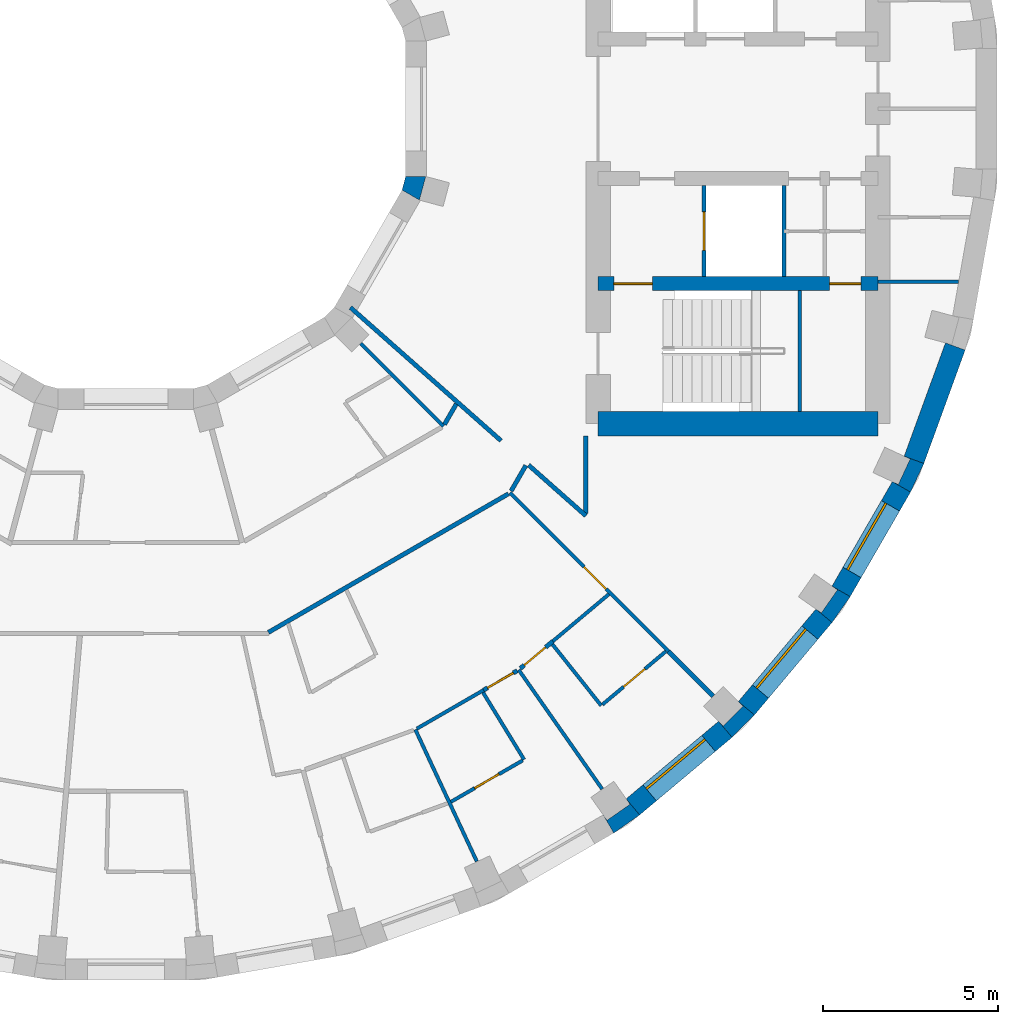
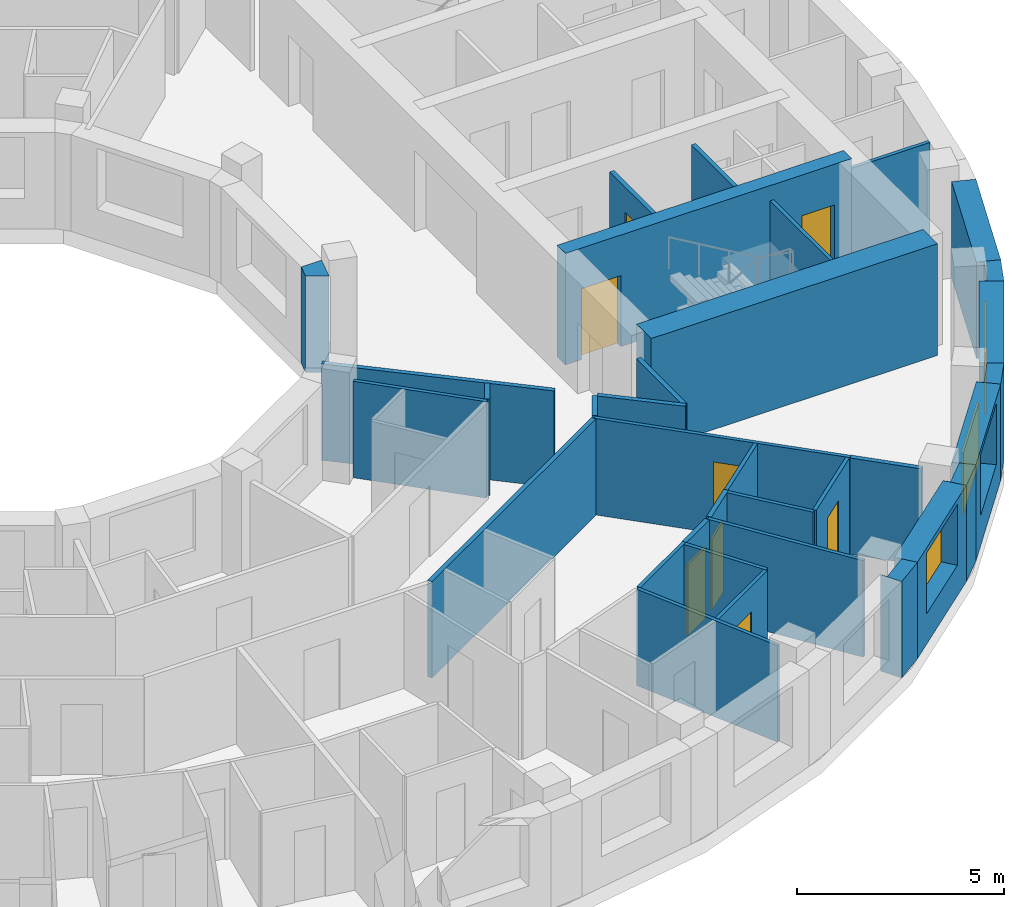
# One storey, part 8 of 14: 34 walls, 8 doors, 3 windows, 11 openings.
"""IFC4 building model written with IfcOpenShell, lengths in metres."""

from ifc_helpers import new_model, si_unit, direction, frame, frame_2d, origin, place, context, subcontext, project, spatial, polyline, rectangle, outline, extrude, material, layer, layer_set, type_object, element, fill, save


model = new_model("IFC4")

# Units and contexts
model_context = context("Model", 3, precision=1e-05, world=origin(), true_north=direction((0.0, 1.0)))
body_context = subcontext(model_context, "Body", "Model", "MODEL_VIEW")
ifc_project = project(units=[si_unit("LENGTHUNIT", "METRE"), si_unit("AREAUNIT", "SQUARE_METRE"), si_unit("VOLUMEUNIT", "CUBIC_METRE"), si_unit("PLANEANGLEUNIT", "RADIAN"), si_unit("MASSUNIT", "GRAM", prefix="KILO")], contexts=[model_context])

# Site, building, storey
site_placement = place(None, origin())
site = spatial("IfcSite", under=ifc_project, at=site_placement, CompositionType="ELEMENT")
building_placement = place(site_placement, origin())
building = spatial("IfcBuilding", under=site, at=building_placement, Name="Saqina Gate Tower", CompositionType="ELEMENT")
storey_placement = place(building_placement, frame((0.0, 0.0, 210.300048828125)))
storey = spatial("IfcBuildingStorey", under=building, at=storey_placement, Name="L60", CompositionType="ELEMENT", Elevation=210.300048828125)

# Walls
ifc_material_1 = material(Name="Brick masonry (buff)", Category="masonry")
wall_type_1 = type_object("IfcWallType", Name="BRICK PIER COPING BUFF", PredefinedType="SOLIDWALL", material=ifc_material_1)
wall_1_placement = place(storey_placement, origin())
element("IfcWall", 1, at=wall_1_placement, inside=storey, type_object=wall_type_1, Name="Pier cap L60 column 31", PredefinedType="SOLIDWALL", context=body_context, shape_type="SweptSolid", body=[
    extrude(outline(polyline([(13.9462890625, -20.705810546875), (14.687255859375, -20.18701171875), (14.301513671875, -19.727294921875), (14.408935546875, -19.880859375), (13.753662109375, -20.339599609375), (13.646240234375, -20.186279296875), (13.9462890625, -20.705810546875)])), origin(), (0.0, 0.0, 1.0), 2.849853515625),
])
wall_2_placement = place(storey_placement, origin())
element("IfcWall", 2, at=wall_2_placement, inside=storey, type_object=wall_type_1, Name="Pier cap L60 column 32", PredefinedType="SOLIDWALL", context=body_context, shape_type="SweptSolid", body=[
    extrude(outline(polyline([(17.969482421875, -17.329833984375), (17.510009765625, -16.944091796875), (17.642333984375, -17.07666015625), (17.07666015625, -17.642333984375), (16.944091796875, -17.510009765625), (17.329833984375, -17.969482421875), (17.969482421875, -17.329833984375)])), origin(), (0.0, 0.0, 1.0), 2.849853515625),
])
wall_3_placement = place(storey_placement, origin())
element("IfcWall", 3, at=wall_3_placement, inside=storey, type_object=wall_type_1, Name="Pier cap L60 column 33", PredefinedType="SOLIDWALL", context=body_context, shape_type="SweptSolid", body=[
    extrude(outline(polyline([(20.18701171875, -14.687255859375), (20.705810546875, -13.9462890625), (20.186279296875, -13.646240234375), (20.339599609375, -13.753662109375), (19.880859375, -14.408935546875), (19.727294921875, -14.301513671875), (20.18701171875, -14.687255859375)])), origin(), (0.0, 0.0, 1.0), 2.849853515625),
])
wall_4_placement = place(storey_placement, origin())
element("IfcWall", 4, at=wall_4_placement, inside=storey, type_object=wall_type_1, Name="Pier cap L60 column 34", PredefinedType="SOLIDWALL", context=body_context, shape_type="SweptSolid", body=[
    extrude(outline(polyline([(22.81298828125, -10.138916015625), (22.249267578125, -9.93359375), (22.4189453125, -10.0126953125), (22.080810546875, -10.73779296875), (21.9111328125, -10.65869140625), (22.4306640625, -10.958740234375), (22.81298828125, -10.138916015625)])), origin(), (0.0, 0.0, 1.0), 2.849853515625),
])
ifc_material_2 = material(Name="Gypsum board on steel studs", Category="steel")
ifc_layer_1 = layer(ifc_material_2, 0.10009765625)
ifc_layer_set_1 = layer_set([ifc_layer_1], Name="CORE PARTITION")
wall_type_2 = type_object("IfcWallType", Name="CORE PARTITION", PredefinedType="PARTITIONING", material=ifc_layer_set_1)
wall_5_placement = place(storey_placement, frame((21.5, -4.949951171875, 0.0), z_axis=(0.0, 0.0, 1.0), x_axis=(1.0, 0.0, 0.0)))
element("IfcWall", 5, at=wall_5_placement, inside=storey, type_object=wall_type_2, Name="L60-CP-E03", PredefinedType="PARTITIONING", context=body_context, shape_type="SweptSolid", body=[
    extrude(rectangle(XDim=2.306884765625, YDim=0.10009765625, at=frame_2d((1.1533203125, 0.0))), origin(), (0.0, 0.0, 1.0), 2.849853515625),
])

# Wall, opening, window
ifc_material_3 = material(Name="Brick masonry (buff)", Category="masonry")
ifc_layer_2 = layer(ifc_material_3, 0.60009765625)
ifc_layer_set_2 = layer_set([ifc_layer_2], Name="FW-BRICK-BUFF")
wall_type_3 = type_object("IfcWallType", Name="FW-BRICK-BUFF", PredefinedType="SOLIDWALL", material=ifc_layer_set_2)
wall_6_placement = place(storey_placement, frame((14.494384765625, -19.95703125, 0.0), z_axis=(0.0, 0.0, 1.0), x_axis=(0.766058884809, 0.642770398358, 0.0)))
wall_6 = element("IfcWall", 6, at=wall_6_placement, inside=storey, type_object=wall_type_3, Name="Facade wall L60 facet 31", PredefinedType="SOLIDWALL", context=body_context, shape_type="SweptSolid", body=[
    extrude(rectangle(XDim=3.449462890625, YDim=0.60009765625, at=frame_2d((1.724609375, 0.0))), origin(), (0.0, 0.0, 1.0), 2.849853515625),
])
opening_1_placement = place(wall_6_placement, frame((0.625, 0.0, 0.89990234375)))
opening_1 = element("IfcOpeningElement", 7, at=opening_1_placement, cuts=wall_6, Name="Opening G18-W20", PredefinedType="OPENING", context=body_context, shape_type="SweptSolid", body=[
    extrude(rectangle(XDim=2.199951171875, YDim=1.800048828125, at=frame_2d((1.10009765625, 0.89990234375))), frame((0.0, 0.31201171875, 0.0), z_axis=(0.0, -1.0, 0.0), x_axis=(1.0, 0.0, 0.0)), (0.0, 0.0, 1.0), 0.6240234375),
])
ifc_material_4 = material(Name="Aluminium glazing", Category="aluminium")
window_type = type_object("IfcWindowType", Name="WN-C", PartitioningType="SINGLE_PANEL", PredefinedType="WINDOW", material=ifc_material_4)
window_1_placement = place(opening_1_placement, origin())
window_1 = element("IfcWindow", 8, at=window_1_placement, inside=storey, type_object=window_type, Name="Window L60 facet 31", OverallHeight=1.800048828125, OverallWidth=2.199951171875, PartitioningType="SINGLE_PANEL", PredefinedType="WINDOW", context=body_context, shape_type="SweptSolid", body=[
    extrude(rectangle(XDim=2.199951171875, YDim=1.800048828125, at=frame_2d((1.10009765625, 0.89990234375))), frame((0.0, 0.179931640625, 0.0), z_axis=(0.0, -1.0, 0.0), x_axis=(1.0, 0.0, 0.0)), (0.0, 0.0, 1.0), 0.06005859375),
])
fill(opening_1, window_1)

wall_7_placement = place(storey_placement, frame((17.73974609375, -17.136962890625, 0.0), z_axis=(0.0, 0.0, 1.0), x_axis=(0.642770398358, 0.766058884809, 0.0)))
wall_7 = element("IfcWall", 9, at=wall_7_placement, inside=storey, type_object=wall_type_3, Name="Facade wall L60 facet 32", PredefinedType="SOLIDWALL", context=body_context, shape_type="SweptSolid", body=[
    extrude(rectangle(XDim=3.449462890625, YDim=0.60009765625, at=frame_2d((1.724609375, 0.0))), origin(), (0.0, 0.0, 1.0), 2.849853515625),
])
opening_2_placement = place(wall_7_placement, frame((0.625, 0.0, 0.89990234375)))
opening_2 = element("IfcOpeningElement", 10, at=opening_2_placement, cuts=wall_7, Name="Opening G18-W21", PredefinedType="OPENING", context=body_context, shape_type="SweptSolid", body=[
    extrude(rectangle(XDim=2.199951171875, YDim=1.800048828125, at=frame_2d((1.10009765625, 0.89990234375))), frame((0.0, 0.31201171875, 0.0), z_axis=(0.0, -1.0, 0.0), x_axis=(1.0, 0.0, 0.0)), (0.0, 0.0, 1.0), 0.6240234375),
])
window_2_placement = place(opening_2_placement, origin())
window_2 = element("IfcWindow", 11, at=window_2_placement, inside=storey, type_object=window_type, Name="Window L60 facet 32", OverallHeight=1.800048828125, OverallWidth=2.199951171875, PartitioningType="SINGLE_PANEL", PredefinedType="WINDOW", context=body_context, shape_type="SweptSolid", body=[
    extrude(rectangle(XDim=2.199951171875, YDim=1.800048828125, at=frame_2d((1.10009765625, 0.89990234375))), frame((0.0, 0.179931640625, 0.0), z_axis=(0.0, -1.0, 0.0), x_axis=(1.0, 0.0, 0.0)), (0.0, 0.0, 1.0), 0.06005859375),
])
fill(opening_2, window_2)

wall_8_placement = place(storey_placement, frame((20.446044921875, -13.796142578125, 0.0), z_axis=(0.0, 0.0, 1.0), x_axis=(0.499998129301, 0.86602648383, 0.0)))
wall_8 = element("IfcWall", 12, at=wall_8_placement, inside=storey, type_object=wall_type_3, Name="Facade wall L60 facet 33", PredefinedType="SOLIDWALL", context=body_context, shape_type="SweptSolid", body=[
    extrude(rectangle(XDim=3.44970703125, YDim=0.60009765625, at=frame_2d((1.724853515625, 0.0))), origin(), (0.0, 0.0, 1.0), 2.849853515625),
])
opening_3_placement = place(wall_8_placement, frame((0.625, 0.0, 0.89990234375)))
opening_3 = element("IfcOpeningElement", 13, at=opening_3_placement, cuts=wall_8, Name="Opening G18-W22", PredefinedType="OPENING", context=body_context, shape_type="SweptSolid", body=[
    extrude(rectangle(XDim=2.199951171875, YDim=1.800048828125, at=frame_2d((1.10009765625, 0.89990234375))), frame((0.0, 0.31201171875, 0.0), z_axis=(0.0, -1.0, 0.0), x_axis=(1.0, 0.0, 0.0)), (0.0, 0.0, 1.0), 0.6240234375),
])
window_3_placement = place(opening_3_placement, origin())
window_3 = element("IfcWindow", 14, at=window_3_placement, inside=storey, type_object=window_type, Name="Window L60 facet 33", OverallHeight=1.800048828125, OverallWidth=2.199951171875, PartitioningType="SINGLE_PANEL", PredefinedType="WINDOW", context=body_context, shape_type="SweptSolid", body=[
    extrude(rectangle(XDim=2.199951171875, YDim=1.800048828125, at=frame_2d((1.10009765625, 0.89990234375))), frame((0.0, 0.179931640625, 0.0), z_axis=(0.0, -1.0, 0.0), x_axis=(1.0, 0.0, 0.0)), (0.0, 0.0, 1.0), 0.06005859375),
])
fill(opening_3, window_3)

# Walls
ifc_material_5 = material(Name="Glazed ceramic tile (dark blue)", Category="ceramic")
ifc_layer_3 = layer(ifc_material_5, 0.60009765625)
ifc_layer_set_3 = layer_set([ifc_layer_3], Name="FW-TILE-CB")
wall_type_4 = type_object("IfcWallType", Name="FW-TILE-CB", PredefinedType="SOLIDWALL", material=ifc_layer_set_3)
wall_9_placement = place(storey_placement, frame((22.531005859375, -10.0361328125, 0.0), z_axis=(0.0, 0.0, 1.0), x_axis=(0.342032843455, 0.93968799822, 0.0)))
element("IfcWall", 15, at=wall_9_placement, inside=storey, type_object=wall_type_4, Name="Facade wall L60 facet 34", PredefinedType="SOLIDWALL", context=body_context, shape_type="SweptSolid", body=[
    extrude(rectangle(XDim=3.44970703125, YDim=0.60009765625, at=frame_2d((1.724853515625, 0.0))), origin(), (0.0, 0.0, 1.0), 2.849853515625),
])
ifc_material_6 = material(Name="Gypsum board on steel studs, 100 mm", Category="steel")
ifc_layer_4 = layer(ifc_material_6, 0.10009765625)
ifc_layer_set_4 = layer_set([ifc_layer_4], Name="PARTITION 100")
wall_type_5 = type_object("IfcWallType", Name="PARTITION 100", PredefinedType="PARTITIONING", material=ifc_layer_set_4)
wall_10_placement = place(storey_placement, frame((8.27490234375, -17.7451171875, 0.0), z_axis=(0.0, 0.0, 1.0), x_axis=(0.42246777717, -0.906377943936, 0.0)))
element("IfcWall", 16, at=wall_10_placement, inside=storey, type_object=wall_type_5, Name="PARTITION PW3-09", PredefinedType="PARTITIONING", context=body_context, shape_type="SweptSolid", body=[
    extrude(rectangle(XDim=4.16015625, YDim=0.10009765625, at=frame_2d((2.080078125, 0.0))), origin(), (0.0, 0.0, 1.0), 2.849853515625),
])
wall_11_placement = place(storey_placement, frame((10.210205078125, -16.685546875, 0.0), z_axis=(0.0, 0.0, 1.0), x_axis=(0.522037907824, -0.852922284147, 0.0)))
element("IfcWall", 17, at=wall_11_placement, inside=storey, type_object=wall_type_5, Name="PARTITION PW3-10", PredefinedType="PARTITIONING", context=body_context, shape_type="SweptSolid", body=[
    extrude(rectangle(XDim=2.25048828125, YDim=0.10009765625, at=frame_2d((1.125244140625, 0.0))), origin(), (0.0, 0.0, 1.0), 2.849853515625),
])
wall_12_placement = place(storey_placement, frame((11.22998046875, -16.0380859375, 0.0), z_axis=(0.0, 0.0, 1.0), x_axis=(0.573525346877, -0.81918781515, 0.0)))
element("IfcWall", 18, at=wall_12_placement, inside=storey, type_object=wall_type_5, Name="PARTITION PW3-12", PredefinedType="PARTITIONING", context=body_context, shape_type="SweptSolid", body=[
    extrude(rectangle(XDim=4.1611328125, YDim=0.10009765625, at=frame_2d((2.08056640625, 0.0))), origin(), (0.0, 0.0, 1.0), 2.849853515625),
])
wall_13_placement = place(storey_placement, frame((12.195068359375, -15.31103515625, 0.0), z_axis=(0.0, 0.0, 1.0), x_axis=(0.623070217722, -0.782165905539, 0.0)))
element("IfcWall", 19, at=wall_13_placement, inside=storey, type_object=wall_type_5, Name="PARTITION PW3-14", PredefinedType="PARTITIONING", context=body_context, shape_type="SweptSolid", body=[
    extrude(rectangle(XDim=2.2373046875, YDim=0.10009765625, at=frame_2d((1.11865234375, 0.0))), origin(), (0.0, 0.0, 1.0), 2.849853515625),
])
wall_14_placement = place(storey_placement, frame((6.7119140625, -6.7119140625, 0.0), z_axis=(0.0, 0.0, 1.0), x_axis=(0.707106781187, -0.707106781187, 0.0)))
element("IfcWall", 20, at=wall_14_placement, inside=storey, type_object=wall_type_5, Name="PARTITION PW3-19", PredefinedType="PARTITIONING", context=body_context, shape_type="SweptSolid", body=[
    extrude(rectangle(XDim=3.344482421875, YDim=0.10009765625, at=frame_2d((1.67236328125, 0.0))), origin(), (0.0, 0.0, 1.0), 2.849853515625),
])

# Wall, opening, door
wall_15_placement = place(storey_placement, frame((10.98095703125, -10.98095703125, 0.0), z_axis=(0.0, 0.0, 1.0), x_axis=(0.707106781187, -0.707106781187, 0.0)))
wall_15 = element("IfcWall", 21, at=wall_15_placement, inside=storey, type_object=wall_type_5, Name="PARTITION PW3-20", PredefinedType="PARTITIONING", context=body_context, shape_type="SweptSolid", body=[
    extrude(rectangle(XDim=6.408203125, YDim=0.10009765625, at=frame_2d((3.2041015625, 0.0))), origin(), (0.0, 0.0, 1.0), 2.849853515625),
])
opening_4_placement = place(wall_15_placement, frame((2.983642578125, 0.0, 0.0)))
opening_4 = element("IfcOpeningElement", 22, at=opening_4_placement, cuts=wall_15, Name="Opening G18-D56", PredefinedType="OPENING", context=body_context, shape_type="SweptSolid", body=[
    extrude(rectangle(XDim=0.89990234375, YDim=2.10009765625, at=frame_2d((0.449951171875, 1.050048828125))), frame((0.0, 0.06201171875, 0.0), z_axis=(0.0, -1.0, 0.0), x_axis=(1.0, 0.0, 0.0)), (0.0, 0.0, 1.0), 0.1240234375),
])
ifc_material_7 = material(Name="Timber door leaf, 900 mm", Category="wood")
door_type_1 = type_object("IfcDoorType", Name="DOOR 900 TIMBER", OperationType="SINGLE_SWING_LEFT", PredefinedType="DOOR", material=ifc_material_7)
door_1_placement = place(opening_4_placement, origin())
door_1 = element("IfcDoor", 23, at=door_1_placement, inside=storey, type_object=door_type_1, Name="DOOR G18-D56", OperationType="SINGLE_SWING_RIGHT", OverallHeight=2.10009765625, OverallWidth=0.89990234375, PredefinedType="DOOR", context=body_context, shape_type="SweptSolid", body=[
    extrude(rectangle(XDim=0.89990234375, YDim=2.10009765625, at=frame_2d((0.449951171875, 1.050048828125))), frame((0.0, 0.02490234375, 0.0), z_axis=(0.0, -1.0, 0.0), x_axis=(1.0, 0.0, 0.0)), (0.0, 0.0, 1.0), 0.050048828125),
])
fill(opening_4, door_1)

wall_16_placement = place(storey_placement, frame((9.293212890625, -19.81201171875, 0.0), z_axis=(0.0, 0.0, 1.0), x_axis=(0.866139183788, 0.49980287545, 0.0)))
wall_16 = element("IfcWall", 24, at=wall_16_placement, inside=storey, type_object=wall_type_5, Name="PARTITION PW3-55", PredefinedType="PARTITIONING", context=body_context, shape_type="SweptSolid", body=[
    extrude(rectangle(XDim=2.365234375, YDim=0.10009765625, at=frame_2d((1.1826171875, 0.0))), origin(), (0.0, 0.0, 1.0), 2.849853515625),
])
opening_5_placement = place(wall_16_placement, frame((0.782470703125, 0.0, 0.0)))
opening_5 = element("IfcOpeningElement", 25, at=opening_5_placement, cuts=wall_16, Name="Opening G18-D50", PredefinedType="OPENING", context=body_context, shape_type="SweptSolid", body=[
    extrude(rectangle(XDim=0.800048828125, YDim=2.10009765625, at=frame_2d((0.39990234375, 1.050048828125))), frame((0.0, 0.06201171875, 0.0), z_axis=(0.0, -1.0, 0.0), x_axis=(1.0, 0.0, 0.0)), (0.0, 0.0, 1.0), 0.1240234375),
])
ifc_material_8 = material(Name="Timber door leaf, 800 mm", Category="wood")
door_type_2 = type_object("IfcDoorType", Name="DOOR 800 TIMBER", OperationType="SINGLE_SWING_LEFT", PredefinedType="DOOR", material=ifc_material_8)
door_2_placement = place(opening_5_placement, frame((0.800048828125, 0.0, 0.0), z_axis=(0.0, 0.0, 1.0), x_axis=(-1.0, 0.0, 0.0)))
door_2 = element("IfcDoor", 26, at=door_2_placement, inside=storey, type_object=door_type_2, Name="DOOR G18-D50", OperationType="SINGLE_SWING_LEFT", OverallHeight=2.10009765625, OverallWidth=0.800048828125, PredefinedType="DOOR", context=body_context, shape_type="SweptSolid", body=[
    extrude(rectangle(XDim=0.800048828125, YDim=2.10009765625, at=frame_2d((0.39990234375, 1.050048828125))), frame((0.0, 0.02490234375, 0.0), z_axis=(0.0, -1.0, 0.0), x_axis=(1.0, 0.0, 0.0)), (0.0, 0.0, 1.0), 0.050048828125),
])
fill(opening_5, door_2)

# Wall
wall_17_placement = place(storey_placement, frame((8.318359375, -17.719970703125, 0.0), z_axis=(0.0, 0.0, 1.0), x_axis=(0.866039875853, 0.499974932805, 0.0)))
element("IfcWall", 27, at=wall_17_placement, inside=storey, type_object=wall_type_5, Name="PARTITION PW3-56", PredefinedType="PARTITIONING", context=body_context, shape_type="SweptSolid", body=[
    extrude(rectangle(XDim=2.2041015625, YDim=0.10009765625, at=frame_2d((1.10205078125, 0.0))), origin(), (0.0, 0.0, 1.0), 2.849853515625),
])

# Wall, opening, door
wall_18_placement = place(storey_placement, frame((13.627197265625, -17.02880859375, 0.0), z_axis=(0.0, 0.0, 1.0), x_axis=(0.766091436164, 0.642731601399, 0.0)))
wall_18 = element("IfcWall", 28, at=wall_18_placement, inside=storey, type_object=wall_type_5, Name="PARTITION PW3-63", PredefinedType="PARTITIONING", context=body_context, shape_type="SweptSolid", body=[
    extrude(rectangle(XDim=2.363037109375, YDim=0.10009765625, at=frame_2d((1.181640625, 0.0))), origin(), (0.0, 0.0, 1.0), 2.849853515625),
])
opening_6_placement = place(wall_18_placement, frame((0.7822265625, 0.0, 0.0)))
opening_6 = element("IfcOpeningElement", 29, at=opening_6_placement, cuts=wall_18, Name="Opening G18-D55", PredefinedType="OPENING", context=body_context, shape_type="SweptSolid", body=[
    extrude(rectangle(XDim=0.800048828125, YDim=2.10009765625, at=frame_2d((0.39990234375, 1.050048828125))), frame((0.0, 0.06201171875, 0.0), z_axis=(0.0, -1.0, 0.0), x_axis=(1.0, 0.0, 0.0)), (0.0, 0.0, 1.0), 0.1240234375),
])
door_3_placement = place(opening_6_placement, frame((0.800048828125, 0.0, 0.0), z_axis=(0.0, 0.0, 1.0), x_axis=(-1.0, 0.0, 0.0)))
door_3 = element("IfcDoor", 30, at=door_3_placement, inside=storey, type_object=door_type_2, Name="DOOR G18-D55", OperationType="SINGLE_SWING_LEFT", OverallHeight=2.10009765625, OverallWidth=0.800048828125, PredefinedType="DOOR", context=body_context, shape_type="SweptSolid", body=[
    extrude(rectangle(XDim=0.800048828125, YDim=2.10009765625, at=frame_2d((0.39990234375, 1.050048828125))), frame((0.0, 0.02490234375, 0.0), z_axis=(0.0, -1.0, 0.0), x_axis=(1.0, 0.0, 0.0)), (0.0, 0.0, 1.0), 0.050048828125),
])
fill(opening_6, door_3)

# Walls
wall_19_placement = place(storey_placement, frame((12.203857421875, -15.221923828125, 0.0), z_axis=(0.0, 0.0, 1.0), x_axis=(0.766132236748, 0.6426829668, 0.0)))
element("IfcWall", 31, at=wall_19_placement, inside=storey, type_object=wall_type_5, Name="PARTITION PW3-64", PredefinedType="PARTITIONING", context=body_context, shape_type="SweptSolid", body=[
    extrude(rectangle(XDim=2.09228515625, YDim=0.10009765625, at=frame_2d((1.046142578125, 0.0))), origin(), (0.0, 0.0, 1.0), 2.849853515625),
])
ifc_material_9 = material(Name="Gypsum board on steel studs, 125 mm, fire rated", Category="steel")
ifc_layer_5 = layer(ifc_material_9, 0.125)
ifc_layer_set_5 = layer_set([ifc_layer_5], Name="PARTITION EI 30 125")
wall_type_6 = type_object("IfcWallType", Name="PARTITION EI 30 125", PredefinedType="PARTITIONING", material=ifc_layer_set_5)
wall_20_placement = place(storey_placement, frame((15.51123046875, -15.51318359375, 0.0), z_axis=(0.0, 0.0, 1.0), x_axis=(0.707106781187, -0.707106781187, 0.0)))
element("IfcWall", 32, at=wall_20_placement, inside=storey, type_object=wall_type_6, Name="PARTITION PW1-10", PredefinedType="PARTITIONING", context=body_context, shape_type="SweptSolid", body=[
    extrude(rectangle(XDim=1.80224609375, YDim=0.125, at=frame_2d((0.901123046875, 0.0))), origin(), (0.0, 0.0, 1.0), 2.849853515625),
])
wall_21_placement = place(storey_placement, frame((6.419921875, -5.679931640625, 0.0), z_axis=(0.0, 0.0, 1.0), x_axis=(0.74898196967, -0.662590378068, 0.0)))
element("IfcWall", 33, at=wall_21_placement, inside=storey, type_object=wall_type_6, Name="PARTITION PW1-13", PredefinedType="PARTITIONING", context=body_context, shape_type="SweptSolid", body=[
    extrude(rectangle(XDim=5.748046875, YDim=0.125, at=frame_2d((2.8740234375, 0.0))), origin(), (0.0, 0.0, 1.0), 2.849853515625),
])
wall_22_placement = place(storey_placement, frame((11.51171875, -10.1845703125, 0.0), z_axis=(0.0, 0.0, 1.0), x_axis=(0.748928386133, -0.66265094314, 0.0)))
element("IfcWall", 34, at=wall_22_placement, inside=storey, type_object=wall_type_6, Name="PARTITION PW1-14", PredefinedType="PARTITIONING", context=body_context, shape_type="SweptSolid", body=[
    extrude(rectangle(XDim=2.187255859375, YDim=0.125, at=frame_2d((1.09375, 0.0))), origin(), (0.0, 0.0, 1.0), 2.849853515625),
])

# Wall, opening, door
wall_23_placement = place(storey_placement, frame((10.227294921875, -16.617919921875, 0.0), z_axis=(0.0, 0.0, 1.0), x_axis=(0.865642357341, 0.50066286978, 0.0)))
wall_23 = element("IfcWall", 35, at=wall_23_placement, inside=storey, type_object=wall_type_6, Name="PARTITION PW1-35", PredefinedType="PARTITIONING", context=body_context, shape_type="SweptSolid", body=[
    extrude(rectangle(XDim=1.1083984375, YDim=0.125, at=frame_2d((0.55419921875, 0.0))), origin(), (0.0, 0.0, 1.0), 2.849853515625),
])
opening_7_placement = place(wall_23_placement, frame((0.129150390625, 0.0, 0.0)))
opening_7 = element("IfcOpeningElement", 36, at=opening_7_placement, cuts=wall_23, Name="Opening G18-D52", PredefinedType="OPENING", context=body_context, shape_type="SweptSolid", body=[
    extrude(rectangle(XDim=0.85009765625, YDim=2.10009765625, at=frame_2d((0.425048828125, 1.050048828125))), frame((0.0, 0.074462890625, 0.0), z_axis=(0.0, -1.0, 0.0), x_axis=(1.0, 0.0, 0.0)), (0.0, 0.0, 1.0), 0.14892578125),
])
ifc_material_10 = material(Name="Fire door leaf EI 30, 850 mm")
door_type_3 = type_object("IfcDoorType", Name="DOOR 850 EI 30", OperationType="SINGLE_SWING_LEFT", PredefinedType="DOOR", material=ifc_material_10)
door_4_placement = place(opening_7_placement, origin())
door_4 = element("IfcDoor", 37, at=door_4_placement, inside=storey, type_object=door_type_3, Name="DOOR G18-D52", OperationType="SINGLE_SWING_RIGHT", OverallHeight=2.10009765625, OverallWidth=0.85009765625, PredefinedType="DOOR", context=body_context, shape_type="SweptSolid", body=[
    extrude(rectangle(XDim=0.85009765625, YDim=2.10009765625, at=frame_2d((0.425048828125, 1.050048828125))), frame((0.0, 0.02490234375, 0.0), z_axis=(0.0, -1.0, 0.0), x_axis=(1.0, 0.0, 0.0)), (0.0, 0.0, 1.0), 0.050048828125),
])
fill(opening_7, door_4)

# Wall
wall_24_placement = place(storey_placement, frame((4.0732421875, -14.96875, 0.0), z_axis=(0.0, 0.0, 1.0), x_axis=(0.866056845741, 0.499945536979, 0.0)))
element("IfcWall", 38, at=wall_24_placement, inside=storey, type_object=wall_type_6, Name="PARTITION PW1-36", PredefinedType="PARTITIONING", context=body_context, shape_type="SweptSolid", body=[
    extrude(rectangle(XDim=7.92626953125, YDim=0.125, at=frame_2d((3.963134765625, 0.0))), origin(), (0.0, 0.0, 1.0), 2.849853515625),
])

# Wall, opening, door
wall_25_placement = place(storey_placement, frame((11.27783203125, -15.997802734375, 0.0), z_axis=(0.0, 0.0, 1.0), x_axis=(0.766877941262, 0.641792975348, 0.0)))
wall_25 = element("IfcWall", 39, at=wall_25_placement, inside=storey, type_object=wall_type_6, Name="PARTITION PW1-41", PredefinedType="PARTITIONING", context=body_context, shape_type="SweptSolid", body=[
    extrude(rectangle(XDim=1.208251953125, YDim=0.125, at=frame_2d((0.60400390625, 0.0))), origin(), (0.0, 0.0, 1.0), 2.849853515625),
])
opening_8_placement = place(wall_25_placement, frame((0.1416015625, 0.0, 0.0)))
opening_8 = element("IfcOpeningElement", 40, at=opening_8_placement, cuts=wall_25, Name="Opening G18-D54", PredefinedType="OPENING", context=body_context, shape_type="SweptSolid", body=[
    extrude(rectangle(XDim=0.800048828125, YDim=2.10009765625, at=frame_2d((0.39990234375, 1.050048828125))), frame((0.0, 0.074462890625, 0.0), z_axis=(0.0, -1.0, 0.0), x_axis=(1.0, 0.0, 0.0)), (0.0, 0.0, 1.0), 0.14892578125),
])
ifc_material_11 = material(Name="Fire door leaf EI 30, 800 mm")
door_type_4 = type_object("IfcDoorType", Name="DOOR 800 EI 30", OperationType="SINGLE_SWING_LEFT", PredefinedType="DOOR", material=ifc_material_11)
door_5_placement = place(opening_8_placement, origin())
door_5 = element("IfcDoor", 41, at=door_5_placement, inside=storey, type_object=door_type_4, Name="DOOR G18-D54", OperationType="SINGLE_SWING_LEFT", OverallHeight=2.10009765625, OverallWidth=0.800048828125, PredefinedType="DOOR", context=body_context, shape_type="SweptSolid", body=[
    extrude(rectangle(XDim=0.800048828125, YDim=2.10009765625, at=frame_2d((0.39990234375, 1.050048828125))), frame((0.0, 0.02490234375, 0.0), z_axis=(0.0, -1.0, 0.0), x_axis=(1.0, 0.0, 0.0)), (0.0, 0.0, 1.0), 0.050048828125),
])
fill(opening_8, door_5)

# Walls
wall_26_placement = place(storey_placement, frame((11.01220703125, -10.9267578125, 0.0), z_axis=(0.0, 0.0, 1.0), x_axis=(0.500190688257, 0.865915281873, 0.0)))
element("IfcWall", 42, at=wall_26_placement, inside=storey, type_object=wall_type_6, Name="PARTITION PW1-46", PredefinedType="PARTITIONING", context=body_context, shape_type="SweptSolid", body=[
    extrude(rectangle(XDim=0.842529296875, YDim=0.125, at=frame_2d((0.42138671875, 0.0))), origin(), (0.0, 0.0, 1.0), 2.849853515625),
])
wall_27_placement = place(storey_placement, frame((9.1083984375, -9.02294921875, 0.0), z_axis=(0.0, 0.0, 1.0), x_axis=(0.500422377307, 0.865781406759, 0.0)))
element("IfcWall", 43, at=wall_27_placement, inside=storey, type_object=wall_type_6, Name="PARTITION PW1-47", PredefinedType="PARTITIONING", context=body_context, shape_type="SweptSolid", body=[
    extrude(rectangle(XDim=0.67431640625, YDim=0.125, at=frame_2d((0.337158203125, 0.0))), origin(), (0.0, 0.0, 1.0), 2.849853515625),
])
wall_28_placement = place(storey_placement, frame((13.14990234375, -11.571533203125, 0.0), z_axis=(0.0, 0.0, 1.0), x_axis=(0.0, 1.0, 0.0)))
element("IfcWall", 44, at=wall_28_placement, inside=storey, type_object=wall_type_6, Name="PARTITION PW1-50", PredefinedType="PARTITIONING", context=body_context, shape_type="SweptSolid", body=[
    extrude(rectangle(XDim=2.221435546875, YDim=0.125, at=frame_2d((1.11083984375, 0.0))), origin(), (0.0, 0.0, 1.0), 2.849853515625),
])

# Wall, opening, door
ifc_material_12 = material(Name="Autoclaved aerated concrete block", Category="concrete")
ifc_layer_6 = layer(ifc_material_12, 0.1201171875)
ifc_layer_set_6 = layer_set([ifc_layer_6], Name="SHAFT PARTITION")
wall_type_7 = type_object("IfcWallType", Name="SHAFT PARTITION", PredefinedType="PARTITIONING", material=ifc_layer_set_6)
wall_29_placement = place(storey_placement, frame((16.530029296875, -4.800048828125, 0.0), z_axis=(0.0, 0.0, 1.0), x_axis=(0.0, 1.0, 0.0)))
wall_29 = element("IfcWall", 45, at=wall_29_placement, inside=storey, type_object=wall_type_7, Name="L60-CP-E08", PredefinedType="PARTITIONING", context=body_context, shape_type="SweptSolid", body=[
    extrude(rectangle(XDim=2.60009765625, YDim=0.1201171875, at=frame_2d((1.300048828125, 0.0))), origin(), (0.0, 0.0, 1.0), 2.849853515625),
])
opening_9_placement = place(wall_29_placement, frame((0.75, 0.0, 0.0)))
opening_9 = element("IfcOpeningElement", 46, at=opening_9_placement, cuts=wall_29, Name="Opening G18-LD3", PredefinedType="OPENING", context=body_context, shape_type="SweptSolid", body=[
    extrude(rectangle(XDim=1.10009765625, YDim=2.10009765625, at=frame_2d((0.550048828125, 1.050048828125))), frame((0.0, 0.072021484375, 0.0), z_axis=(0.0, -1.0, 0.0), x_axis=(1.0, 0.0, 0.0)), (0.0, 0.0, 1.0), 0.14404296875),
])
ifc_material_13 = material(Name="Stainless steel", Category="steel")
door_type_5 = type_object("IfcDoorType", Name="LANDING DOOR", OperationType="DOUBLE_DOOR_SLIDING", PredefinedType="DOOR", material=ifc_material_13)
door_6_placement = place(opening_9_placement, origin())
door_6 = element("IfcDoor", 47, at=door_6_placement, inside=storey, type_object=door_type_5, Name="LANDING DOOR FF1", OperationType="DOUBLE_DOOR_SLIDING", OverallHeight=2.10009765625, OverallWidth=1.10009765625, PredefinedType="DOOR", context=body_context, shape_type="SweptSolid", body=[
    extrude(rectangle(XDim=1.10009765625, YDim=2.10009765625, at=frame_2d((0.550048828125, 1.050048828125))), frame((0.0, 0.02490234375, 0.0), z_axis=(0.0, -1.0, 0.0), x_axis=(1.0, 0.0, 0.0)), (0.0, 0.0, 1.0), 0.050048828125),
])
fill(opening_9, door_6)

# Walls
wall_30_placement = place(storey_placement, frame((18.81005859375, -4.800048828125, 0.0), z_axis=(0.0, 0.0, 1.0), x_axis=(0.0, 1.0, 0.0)))
element("IfcWall", 48, at=wall_30_placement, inside=storey, type_object=wall_type_7, Name="L60-CP-E09", PredefinedType="PARTITIONING", context=body_context, shape_type="SweptSolid", body=[
    extrude(rectangle(XDim=2.60009765625, YDim=0.1201171875, at=frame_2d((1.300048828125, 0.0))), origin(), (0.0, 0.0, 1.0), 2.849853515625),
])
ifc_material_14 = material(Name="Autoclaved aerated concrete block", Category="concrete")
ifc_layer_7 = layer(ifc_material_14, 0.10009765625)
ifc_layer_set_7 = layer_set([ifc_layer_7], Name="STAIR ENCLOSURE WALL")
wall_type_8 = type_object("IfcWallType", Name="STAIR ENCLOSURE WALL", PredefinedType="PARTITIONING", material=ifc_layer_set_7)
wall_31_placement = place(storey_placement, frame((19.27001953125, -8.64990234375, 0.0), z_axis=(0.0, 0.0, 1.0), x_axis=(0.0, 1.0, 0.0)))
element("IfcWall", 49, at=wall_31_placement, inside=storey, type_object=wall_type_8, Name="L60-CP-E15", PredefinedType="PARTITIONING", context=body_context, shape_type="SweptSolid", body=[
    extrude(rectangle(XDim=3.449951171875, YDim=0.10009765625, at=frame_2d((1.72509765625, 0.0))), origin(), (0.0, 0.0, 1.0), 2.849853515625),
])

# Wall, openings, doors
ifc_material_15 = material(Name="Concrete C60/75", Category="concrete")
ifc_layer_8 = layer(ifc_material_15, 0.39990234375)
ifc_layer_set_8 = layer_set([ifc_layer_8], Name="Concrete C60/75")
wall_type_9 = type_object("IfcWallType", Name="STR-CORE WALL-C-I", PredefinedType="SHEAR", material=ifc_layer_set_8)
wall_32_placement = place(storey_placement, frame((13.5, -5.0, 0.0), z_axis=(0.0, 0.0, 1.0), x_axis=(1.0, 0.0, 0.0)))
wall_32 = element("IfcWall", 50, at=wall_32_placement, inside=storey, type_object=wall_type_9, Name="CORE WALL L60 E-X2", PredefinedType="SHEAR", context=body_context, shape_type="SweptSolid", body=[
    extrude(rectangle(XDim=8.0, YDim=0.39990234375, at=frame_2d((4.0, 0.0))), origin(), (0.0, 0.0, 1.0), 3.300048828125),
])
opening_10_placement = place(wall_32_placement, frame((6.614990234375, 0.0, 0.0)))
opening_10 = element("IfcOpeningElement", 51, at=opening_10_placement, cuts=wall_32, Name="Opening G18-D102", PredefinedType="OPENING", context=body_context, shape_type="SweptSolid", body=[
    extrude(rectangle(XDim=0.89990234375, YDim=2.10009765625, at=frame_2d((0.449951171875, 1.050048828125))), frame((0.0, 0.2119140625, 0.0), z_axis=(0.0, -1.0, 0.0), x_axis=(1.0, 0.0, 0.0)), (0.0, 0.0, 1.0), 0.423828125),
])
opening_11_placement = place(wall_32_placement, frame((0.449951171875, 0.0, 0.0)))
opening_11 = element("IfcOpeningElement", 52, at=opening_11_placement, cuts=wall_32, Name="Opening G18-D103", PredefinedType="OPENING", context=body_context, shape_type="SweptSolid", body=[
    extrude(rectangle(XDim=1.10009765625, YDim=2.10009765625, at=frame_2d((0.550048828125, 1.050048828125))), frame((0.0, 0.2119140625, 0.0), z_axis=(0.0, -1.0, 0.0), x_axis=(1.0, 0.0, 0.0)), (0.0, 0.0, 1.0), 0.423828125),
])
ifc_material_16 = material(Name="Steel", Category="steel")
door_type_6 = type_object("IfcDoorType", Name="FIRE LOBBY DOOR EI 60 WIDE", OperationType="SINGLE_SWING_LEFT", PredefinedType="DOOR", material=ifc_material_16)
door_7_placement = place(opening_11_placement, frame((1.10009765625, 0.0, 0.0), z_axis=(0.0, 0.0, 1.0), x_axis=(-1.0, 0.0, 0.0)))
door_7 = element("IfcDoor", 53, at=door_7_placement, inside=storey, type_object=door_type_6, Name="L60-CD-E14", OperationType="SINGLE_SWING_RIGHT", OverallHeight=2.10009765625, OverallWidth=1.10009765625, PredefinedType="DOOR", context=body_context, shape_type="SweptSolid", body=[
    extrude(rectangle(XDim=1.10009765625, YDim=2.10009765625, at=frame_2d((0.550048828125, 1.050048828125))), frame((0.0, 0.02490234375, 0.0), z_axis=(0.0, -1.0, 0.0), x_axis=(1.0, 0.0, 0.0)), (0.0, 0.0, 1.0), 0.050048828125),
])
fill(opening_11, door_7)
ifc_material_17 = material(Name="Steel-framed fire door leaf, EI 60", Category="steel")
door_type_7 = type_object("IfcDoorType", Name="SERVICE ROOM DOOR 900", OperationType="SINGLE_SWING_LEFT", PredefinedType="DOOR", material=ifc_material_17)
door_8_placement = place(opening_10_placement, frame((0.89990234375, 0.0, 0.0), z_axis=(0.0, 0.0, 1.0), x_axis=(-1.0, 0.0, 0.0)))
door_8 = element("IfcDoor", 54, at=door_8_placement, inside=storey, type_object=door_type_7, Name="L60-CD-E13", OperationType="SINGLE_SWING_LEFT", OverallHeight=2.10009765625, OverallWidth=0.89990234375, PredefinedType="DOOR", context=body_context, shape_type="SweptSolid", body=[
    extrude(rectangle(XDim=0.89990234375, YDim=2.10009765625, at=frame_2d((0.449951171875, 1.050048828125))), frame((0.0, 0.02490234375, 0.0), z_axis=(0.0, -1.0, 0.0), x_axis=(1.0, 0.0, 0.0)), (0.0, 0.0, 1.0), 0.050048828125),
])
fill(opening_10, door_8)

# Walls
ifc_material_18 = material(Name="Concrete C60/75", Category="concrete")
ifc_layer_9 = layer(ifc_material_18, 0.699951171875)
ifc_layer_set_9 = layer_set([ifc_layer_9], Name="Concrete C60/75")
wall_type_10 = type_object("IfcWallType", Name="STR-CORE WALL-C-O", PredefinedType="SHEAR", material=ifc_layer_set_9)
wall_33_placement = place(storey_placement, frame((13.5, -9.0, 0.0), z_axis=(0.0, 0.0, 1.0), x_axis=(1.0, 0.0, 0.0)))
element("IfcWall", 55, at=wall_33_placement, inside=storey, type_object=wall_type_10, Name="CORE WALL L60 E-SE", PredefinedType="SHEAR", context=body_context, shape_type="SweptSolid", body=[
    extrude(rectangle(XDim=8.0, YDim=0.699951171875, at=frame_2d((4.0, 0.0))), origin(), (0.0, 0.0, 1.0), 3.300048828125),
])
ifc_material_19 = material(Name="Glazed ceramic tile", Category="ceramic")
wall_type_11 = type_object("IfcWallType", Name="TILE PIER COPING", PredefinedType="SOLIDWALL", material=ifc_material_19)
wall_34_placement = place(storey_placement, origin())
element("IfcWall", 56, at=wall_34_placement, inside=storey, type_object=wall_type_11, Name="Well pier cap L60 column 12", PredefinedType="SOLIDWALL", context=body_context, shape_type="SweptSolid", body=[
    extrude(outline(polyline([(8.573486328125, -1.934814453125), (8.0, -1.934814453125), (7.895751953125, -2.32421875), (8.392333984375, -2.611083984375), (8.573486328125, -1.934814453125)])), origin(), (0.0, 0.0, 1.0), 2.849853515625),
])

save(model, "model.ifc")
